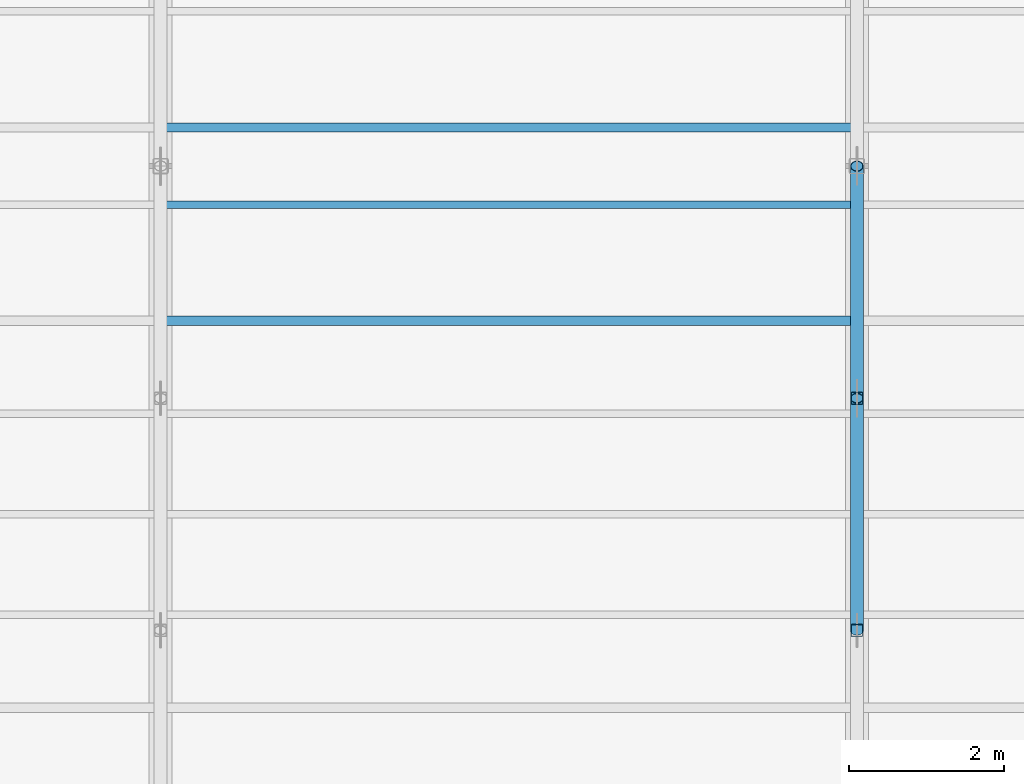
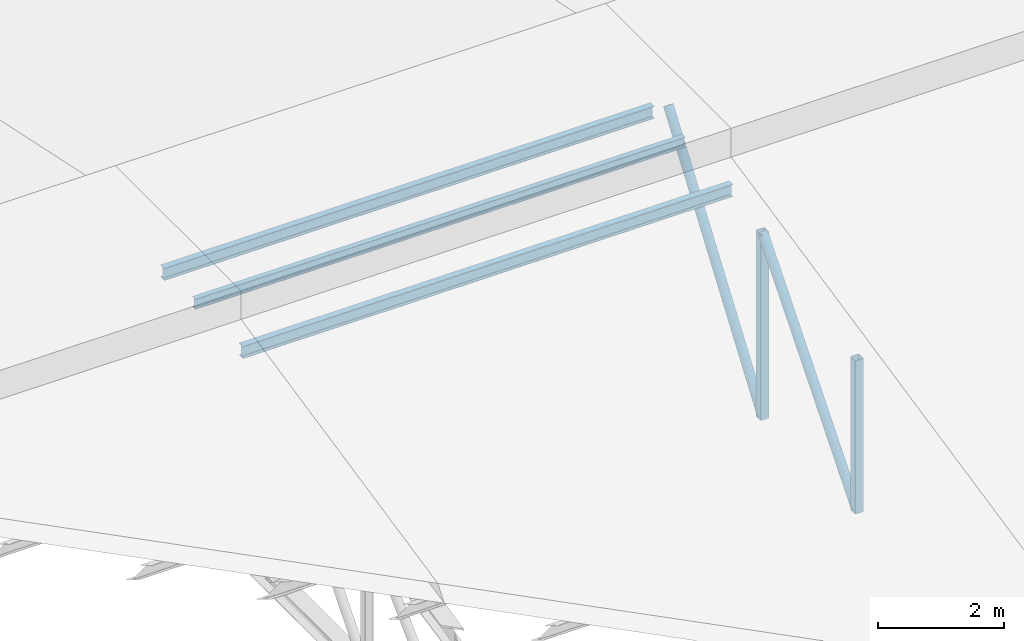
# One storey, part 8 of 43: 7 members.
"""IFC4 building model written with IfcOpenShell, lengths in metres."""

import ifcopenshell
import ifcopenshell.guid

model = None  # the IFC model being written
_history = None  # IfcOwnerHistory: only IFC2X3 demands one
_inside = {}  # id of a spatial element -> (the spatial element, [elements in it])
_under = {}  # id of a project, library or spatial element -> (it, [spatial elements below it])
_declared = {}  # id of a project -> (the project, [libraries it declares])
_typed = {}  # id of a type object -> (the type object, [elements of that type])
_made_of = {}  # id of a material, layer set ... -> (it, [elements and type objects made of it])


def new_model(schema):
    """Start an empty IFC model of exactly this schema.

    Asked for "IFC4X3", IfcOpenShell would pick the latest addendum, in which some entities
    have other attributes; the version numbers below select the first issue.
    IFC2X3 requires an IfcOwnerHistory on every rooted entity: one is made here for all.
    """
    global model, _history
    if schema == "IFC4X3":
        model = ifcopenshell.file(schema_version=(4, 3, 0, 0))
    else:
        model = ifcopenshell.file(schema=schema)
    _inside.clear()
    _under.clear()
    _declared.clear()
    _typed.clear()
    _made_of.clear()
    _history = None
    if model.schema == "IFC2X3":
        org = make("IfcOrganization", Name="unknown")
        user = make(
            "IfcPersonAndOrganization",
            ThePerson=make("IfcPerson", FamilyName="unknown"),
            TheOrganization=org,
        )
        app = make(
            "IfcApplication",
            ApplicationDeveloper=org,
            Version="unknown",
            ApplicationFullName="unknown",
            ApplicationIdentifier="unknown",
        )
        _history = make(
            "IfcOwnerHistory",
            OwningUser=user,
            OwningApplication=app,
            ChangeAction="ADDED",
            CreationDate=0,
        )
    return model


def make(cls, **values):
    """One entity of the class cls with the attributes given. An attribute that is None is left unset."""
    return model.create_entity(
        cls, **{name: value for name, value in values.items() if value is not None}
    )


def rooted(cls, **values):
    """An entity with a GlobalId (a new one), such as an element, a storey or a relation."""
    return make(cls, GlobalId=ifcopenshell.guid.new(), OwnerHistory=_history, **values)


def si_unit(unit_type, name, prefix=None):
    """IfcSIUnit, for example si_unit("LENGTHUNIT", "METRE", prefix="MILLI")."""
    return make("IfcSIUnit", UnitType=unit_type, Prefix=prefix, Name=name)


def assignment(units):
    """IfcUnitAssignment: the units of a project."""
    return None if units is None else make("IfcUnitAssignment", Units=units)


def point(xyz):
    """IfcCartesianPoint."""
    return None if xyz is None else make("IfcCartesianPoint", Coordinates=xyz)


def direction(xyz):
    """IfcDirection."""
    return None if xyz is None else make("IfcDirection", DirectionRatios=xyz)


def frame(location, z_axis=None, x_axis=None):
    """IfcAxis2Placement3D, a coordinate frame: its origin and axes. An axis left out is left unset."""
    return make(
        "IfcAxis2Placement3D",
        Location=point(location),
        Axis=direction(z_axis),
        RefDirection=direction(x_axis),
    )


def frame_2d(location, x_axis=None):
    """IfcAxis2Placement2D, a coordinate frame in the plane: its origin and x axis."""
    return make(
        "IfcAxis2Placement2D", Location=point(location), RefDirection=direction(x_axis)
    )


def origin():
    """The frame at (0, 0, 0) with its axes left unset."""
    return frame((0.0, 0.0, 0.0))


def origin_2d():
    """The frame at (0, 0) in the plane with its x axis left unset."""
    return frame_2d((0.0, 0.0))


def place(relative_to, where):
    """IfcLocalPlacement: puts the frame where relative to a parent placement (None: the world)."""
    return make(
        "IfcLocalPlacement", PlacementRelTo=relative_to, RelativePlacement=where
    )


def context(
    kind, dimensions, precision=None, world=None, true_north=None, identifier=None
):
    """IfcGeometricRepresentationContext, for example the 3D "Model" context."""
    return make(
        "IfcGeometricRepresentationContext",
        ContextIdentifier=identifier,
        ContextType=kind,
        CoordinateSpaceDimension=dimensions,
        Precision=precision,
        WorldCoordinateSystem=world,
        TrueNorth=true_north,
    )


def subcontext(parent, identifier, kind, view, scale=None):
    """IfcGeometricRepresentationSubContext, for example "Body" below "Model"."""
    return make(
        "IfcGeometricRepresentationSubContext",
        ContextIdentifier=identifier,
        ContextType=kind,
        ParentContext=parent,
        TargetScale=scale,
        TargetView=view,
    )


def project(units=None, contexts=None):
    """IfcProject with its units and contexts."""
    return rooted(
        "IfcProject",
        Name="project",
        RepresentationContexts=contexts,
        UnitsInContext=assignment(units),
    )


def spatial(cls, under=None, at=None, **own):
    """A site, building, storey or space (cls), placed at a placement, below another one or the project."""
    s = rooted(cls, ObjectPlacement=at, **own)
    if under is not None:
        _under.setdefault(under.id(), (under, []))[1].append(s)
    return s


def profile(cls, at=None, kind="AREA", **sizes):
    """A parametric profile (cls). Its sizes go by their IFC names, for example OverallWidth=200.0."""
    return make(cls, ProfileType=kind, Position=at, **sizes)


def hollow_rectangle(**sizes):
    """IfcRectangleHollowProfileDef."""
    return profile("IfcRectangleHollowProfileDef", **sizes)


def hollow_circle(**sizes):
    """IfcCircleHollowProfileDef."""
    return profile("IfcCircleHollowProfileDef", **sizes)


def i_section(**sizes):
    """IfcIShapeProfileDef."""
    return profile("IfcIShapeProfileDef", **sizes)


def extrude(swept, where, along, depth):
    """IfcExtrudedAreaSolid: the profile swept, set in the frame where, extruded along a direction by depth."""
    return make(
        "IfcExtrudedAreaSolid",
        SweptArea=swept,
        Position=where,
        ExtrudedDirection=direction(along),
        Depth=depth,
    )


def shape(context_of_items, identifier, shape_type, items):
    """IfcShapeRepresentation: the items that make up one representation, for example the "Body"."""
    return make(
        "IfcShapeRepresentation",
        ContextOfItems=context_of_items,
        RepresentationIdentifier=identifier,
        RepresentationType=shape_type,
        Items=items,
    )


def material(Name=None, Category=None):
    """IfcMaterial."""
    return make("IfcMaterial", Name=Name, Category=Category)


def material_profile(
    of_material, cross_section, Name=None, Category=None, Priority=None
):
    """IfcMaterialProfile: a cross section and its material."""
    return make(
        "IfcMaterialProfile",
        Name=Name,
        Material=of_material,
        Profile=cross_section,
        Priority=Priority,
        Category=Category,
    )


def profile_set(profiles, Name=None, composite=None):
    """IfcMaterialProfileSet."""
    return make(
        "IfcMaterialProfileSet",
        Name=Name,
        MaterialProfiles=profiles,
        CompositeProfile=composite,
    )


def made_of(thing, what):
    """Note that an element or type object is made of a material, layer set ...; save() writes the relation."""
    if what is not None:
        _made_of.setdefault(what.id(), (what, []))[1].append(thing)
    return thing


def type_object(cls, material=None, **own):
    """A type object (cls), such as IfcWallType, which elements share."""
    return made_of(rooted(cls, **own), material)


def element(
    cls,
    number,
    at=None,
    inside=None,
    cuts=None,
    type_object=None,
    material=None,
    context=None,
    identifier="Body",
    shape_type=None,
    held_by="IfcProductDefinitionShape",
    body=None,
    shapes=None,
    **own,
):
    """One element of the class cls, such as IfcWall. Its Tag is "e" and its number.

    at: its placement. inside: the storey or other place that contains it. cuts: it is an
    opening in that element (IfcRelVoidsElement). A single representation is given by context,
    identifier, shape_type and body (its items); several are given by shapes. held_by: the class
    of the entity that holds the representations. save() writes the other relations.
    """
    e = rooted(cls, Tag="e%d" % number, ObjectPlacement=at, **own)
    if body is not None:
        shapes = [shape(context, identifier, shape_type, body)]
    if shapes is not None:
        e.Representation = make(held_by, Representations=shapes)
    if inside is not None:
        _inside.setdefault(inside.id(), (inside, []))[1].append(e)
    if cuts is not None:
        rooted(
            "IfcRelVoidsElement", RelatingBuildingElement=cuts, RelatedOpeningElement=e
        )
    if type_object is not None:
        _typed.setdefault(type_object.id(), (type_object, []))[1].append(e)
    return made_of(e, material)


def aggregate(whole, parts):
    """IfcRelAggregates: a whole, such as a stair, and the parts it consists of."""
    return rooted("IfcRelAggregates", RelatingObject=whole, RelatedObjects=parts)


def save(model, path):
    """Write the relations noted so far, then the file.

    IfcRelAggregates (storeys below a building ...), IfcRelContainedInSpatialStructure (elements
    in a storey), IfcRelDefinesByType, IfcRelAssociatesMaterial and IfcRelDeclares: one each for
    every whole, place, type object, material and project.
    """
    for whole, parts in _under.values():
        aggregate(whole, parts)
    for where, things in _inside.values():
        rooted(
            "IfcRelContainedInSpatialStructure",
            RelatedElements=things,
            RelatingStructure=where,
        )
    for kind, things in _typed.values():
        rooted("IfcRelDefinesByType", RelatedObjects=things, RelatingType=kind)
    for what, things in _made_of.values():
        rooted("IfcRelAssociatesMaterial", RelatedObjects=things, RelatingMaterial=what)
    for by, libraries in _declared.values():
        rooted("IfcRelDeclares", RelatingContext=by, RelatedDefinitions=libraries)
    model.write(path)


model = new_model("IFC4")

# Units and contexts
model_context = context("Model", 3, precision=1e-05, world=origin(), true_north=direction((0.0, 1.0)))
body_context = subcontext(model_context, "Body", "Model", "MODEL_VIEW")
ifc_project = project(units=[si_unit("LENGTHUNIT", "METRE"), si_unit("AREAUNIT", "SQUARE_METRE"), si_unit("VOLUMEUNIT", "CUBIC_METRE"), si_unit("PLANEANGLEUNIT", "RADIAN"), si_unit("MASSUNIT", "GRAM", prefix="KILO")], contexts=[model_context])

# Site, building, storey
site_placement = place(None, origin())
site = spatial("IfcSite", under=ifc_project, at=site_placement, CompositionType="ELEMENT")
building_placement = place(site_placement, origin())
building = spatial("IfcBuilding", under=site, at=building_placement, Name="Serraforn Aerial Cableway Station", CompositionType="ELEMENT")
storey_placement = place(building_placement, frame((0.0, 0.0, 18.300048828125)))
storey = spatial("IfcBuildingStorey", under=building, at=storey_placement, Name="RF", CompositionType="ELEMENT", Elevation=18.300048828125)

# Members
ifc_material_1 = material(Name="Steel S355J2", Category="steel")
ifc_material_profile_1 = material_profile(ifc_material_1, hollow_circle(Radius=0.084228515625, WallThickness=0.008056640625, at=origin_2d()), Name="CHS 168.3x8.0")
ifc_profile_set_1 = profile_set([ifc_material_profile_1], Name="Steel S355J2")
member_type_1 = type_object("IfcMemberType", Name="MEM-DG-CHS168", PredefinedType="BRACE", material=ifc_profile_set_1)
member_1_placement = place(storey_placement, frame((45.60009765625, 24.0, -1.35009765625), z_axis=(0.0, 0.641405529785, 0.767202024477), x_axis=(-1.0, 0.0, 0.0)))
element("IfcMember", 1, at=member_1_placement, inside=storey, type_object=member_type_1, Name="Roof Truss TR-03 Diagonal 3", PredefinedType="BRACE", context=body_context, shape_type="SweptSolid", body=[
    extrude(hollow_circle(Radius=0.084228515625, WallThickness=0.008056640625, at=origin_2d()), origin(), (0.0, 0.0, 1.0), 4.67724609375),
])
member_2_placement = place(storey_placement, frame((45.60009765625, 27.0, -1.35009765625), z_axis=(0.0, 0.578856146563, 0.815429679118), x_axis=(-1.0, 0.0, 0.0)))
element("IfcMember", 2, at=member_2_placement, inside=storey, type_object=member_type_1, Name="Roof Truss TR-03 Diagonal 4", PredefinedType="BRACE", context=body_context, shape_type="SweptSolid", body=[
    extrude(hollow_circle(Radius=0.084228515625, WallThickness=0.008056640625, at=origin_2d()), origin(), (0.0, 0.0, 1.0), 5.1826171875),
])
ifc_material_2 = material(Name="Steel S355JR", Category="steel")
ifc_material_profile_2 = material_profile(ifc_material_2, i_section(OverallWidth=0.10009765625, OverallDepth=0.199951171875, WebThickness=0.005615234375, FlangeThickness=0.008544921875, FilletRadius=0.011962890625, at=origin_2d()), Name="IPE 200")
ifc_profile_set_2 = profile_set([ifc_material_profile_2], Name="Steel S355JR")
member_type_2 = type_object("IfcMemberType", Name="MEM-PR-IPE200", PredefinedType="PURLIN", material=ifc_profile_set_2)
member_3_placement = place(storey_placement, frame((36.60009765625, 29.5, 2.48583984375), z_axis=(1.0, 0.0, 0.0), x_axis=(0.0, 1.0, 0.0)))
element("IfcMember", 3, at=member_3_placement, inside=storey, type_object=member_type_2, Name="Boarding Hall Purlin 2-7", PredefinedType="PURLIN", context=body_context, shape_type="SweptSolid", body=[
    extrude(i_section(OverallWidth=0.10009765625, OverallDepth=0.199951171875, WebThickness=0.005615234375, FlangeThickness=0.008544921875, FilletRadius=0.011962890625, at=origin_2d()), origin(), (0.0, 0.0, 1.0), 9.0),
])
ifc_material_profile_3 = material_profile(ifc_material_2, i_section(OverallWidth=0.1201171875, OverallDepth=0.239990234375, WebThickness=0.006103515625, FlangeThickness=0.009765625, FilletRadius=0.014892578125, at=origin_2d()), Name="IPE 240")
ifc_profile_set_3 = profile_set([ifc_material_profile_3], Name="Steel S355JR")
member_type_3 = type_object("IfcMemberType", Name="MEM-PR-IPE240", PredefinedType="PURLIN", material=ifc_profile_set_3)
for number, where, z_axis, x_axis, name in (
    (4, (36.60009765625, 28.0, 2.4658203125), (1.0, 0.0, 0.0), (0.0, 1.0, 0.0), "Boarding Hall Purlin 2-6"),
    (5, (36.60009765625, 30.5, 2.4658203125), (1.0, 0.0, 0.0), (0.0, 1.0, 0.0), "Boarding Hall Purlin 2-8"),
):
    element("IfcMember", number, at=place(storey_placement, frame(where, z_axis=z_axis, x_axis=x_axis)), inside=storey, type_object=member_type_3, Name=name, PredefinedType="PURLIN", context=body_context, shape_type="SweptSolid", body=[
        extrude(i_section(OverallWidth=0.1201171875, OverallDepth=0.239990234375, WebThickness=0.006103515625, FlangeThickness=0.009765625, FilletRadius=0.014892578125, at=origin_2d()), origin(), (0.0, 0.0, 1.0), 9.0),
    ])
ifc_material_profile_4 = material_profile(ifc_material_1, hollow_rectangle(XDim=0.159912109375, YDim=0.159912109375, WallThickness=0.008056640625, InnerFilletRadius=0.008056640625, OuterFilletRadius=0.01611328125, at=origin_2d()), Name="SHS 160x160x8.0")
ifc_profile_set_4 = profile_set([ifc_material_profile_4], Name="Steel S355J2")
member_type_4 = type_object("IfcMemberType", Name="MEM-VP-SHS160", PredefinedType="STRUT", material=ifc_profile_set_4)
member_4_placement = place(storey_placement, frame((45.60009765625, 24.0, -1.360107421875), z_axis=(0.0, 0.0, 1.0), x_axis=(1.0, 0.0, 0.0)))
element("IfcMember", 6, at=member_4_placement, inside=storey, type_object=member_type_4, Name="Roof Truss TR-03 Vertical Post 3", PredefinedType="STRUT", context=body_context, shape_type="SweptSolid", body=[
    extrude(hollow_rectangle(XDim=0.159912109375, YDim=0.159912109375, WallThickness=0.008056640625, InnerFilletRadius=0.008056640625, OuterFilletRadius=0.01611328125, at=origin_2d()), origin(), (0.0, 0.0, 1.0), 2.970703125),
])
member_5_placement = place(storey_placement, frame((45.60009765625, 27.0, -1.360107421875), z_axis=(0.0, 0.0, 1.0), x_axis=(1.0, 0.0, 0.0)))
element("IfcMember", 7, at=member_5_placement, inside=storey, type_object=member_type_4, Name="Roof Truss TR-03 Vertical Post 4", PredefinedType="STRUT", context=body_context, shape_type="SweptSolid", body=[
    extrude(hollow_rectangle(XDim=0.159912109375, YDim=0.159912109375, WallThickness=0.008056640625, InnerFilletRadius=0.008056640625, OuterFilletRadius=0.01611328125, at=origin_2d()), origin(), (0.0, 0.0, 1.0), 3.6083984375),
])

save(model, "model.ifc")
